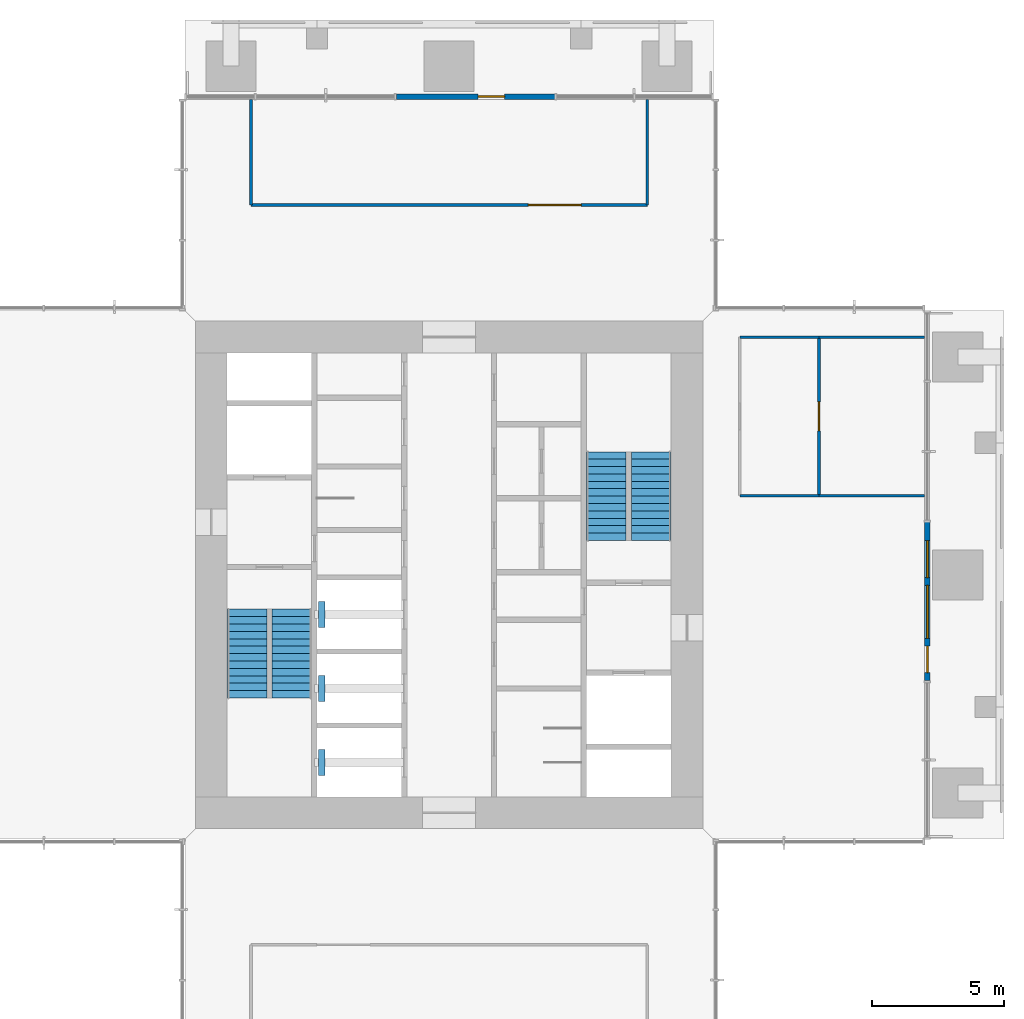
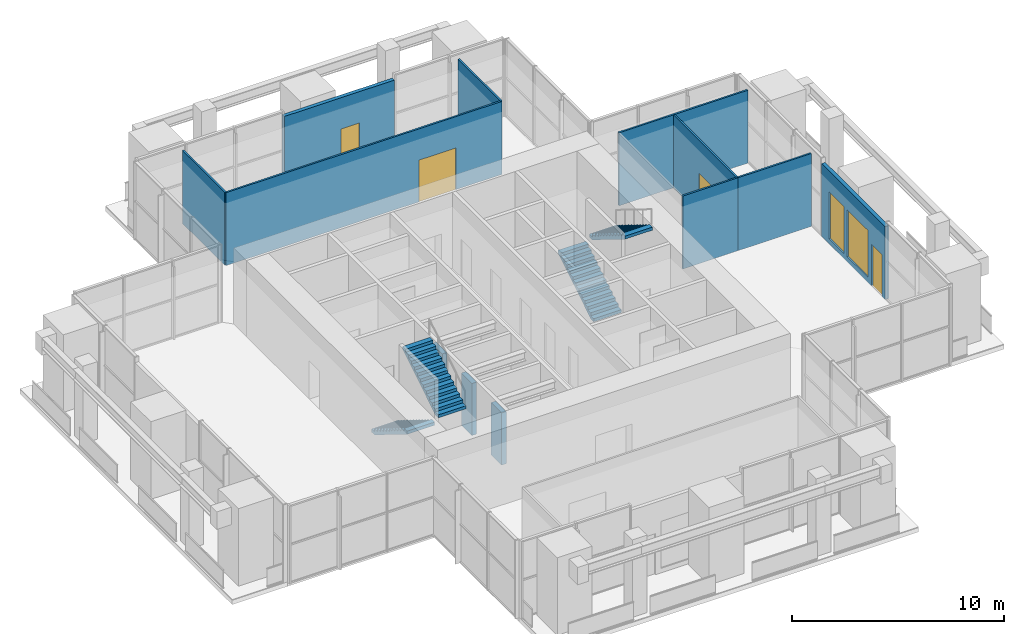
# One storey, part 9 of 11: 10 walls, 4 doors, 4 stair flights, 3 discrete accessories, 2 windows, 6 openings, 2 elements without a shape of their own.
"""IFC4 building model written with IfcOpenShell, lengths in metres."""

from ifc_helpers import new_model, si_unit, direction, frame, frame_2d, origin, origin_2d, place, context, subcontext, project, spatial, polyline, rectangle, outline, extrude, material, layer, layer_set, type_object, element, fill, aggregate, save


model = new_model("IFC4")

# Units and contexts
model_context = context("Model", 3, precision=1e-05, world=origin(), true_north=direction((0.0, 1.0)))
body_context = subcontext(model_context, "Body", "Model", "MODEL_VIEW")
ifc_project = project(units=[si_unit("LENGTHUNIT", "METRE"), si_unit("AREAUNIT", "SQUARE_METRE"), si_unit("VOLUMEUNIT", "CUBIC_METRE"), si_unit("PLANEANGLEUNIT", "RADIAN"), si_unit("MASSUNIT", "GRAM", prefix="KILO")], contexts=[model_context])

# Site, building, storey
site_placement = place(None, origin())
site = spatial("IfcSite", under=ifc_project, at=site_placement, CompositionType="ELEMENT")
building_placement = place(site_placement, origin())
building = spatial("IfcBuilding", under=site, at=building_placement, Name="Svetlomir Tower", CompositionType="ELEMENT")
storey_placement = place(building_placement, frame((0.0, 0.0, 273.39990234375)))
storey = spatial("IfcBuildingStorey", under=building, at=storey_placement, Name="L65", CompositionType="ELEMENT", Elevation=273.39990234375)

# Wall, openings, door, windows
ifc_material_1 = material(Name="Bronze anodised aluminium glazed screen", Category="aluminium")
ifc_layer_1 = layer(ifc_material_1, 0.199951171875)
ifc_layer_set_1 = layer_set([ifc_layer_1], Name="Bronze anodised aluminium glazed screen")
wall_type_1 = type_object("IfcWallType", Name="BALCONY SCREEN WALL 200", PredefinedType="USERDEFINED", material=ifc_layer_set_1)
wall_1_placement = place(storey_placement, frame((39.10009765625, 17.0, 0.0), z_axis=(0.0, 0.0, 1.0), x_axis=(0.0, 1.0, 0.0)))
wall_1 = element("IfcWall", 1, at=wall_1_placement, inside=storey, type_object=wall_type_1, Name="Balcony screen E", ObjectType="GLAZED SCREEN", PredefinedType="USERDEFINED", context=body_context, shape_type="SweptSolid", body=[
    extrude(rectangle(XDim=6.0, YDim=0.199951171875, at=frame_2d((3.0, 0.0))), origin(), (0.0, 0.0, 1.0), 4.2001953125),
])
opening_1_placement = place(wall_1_placement, frame((0.300048828125, 0.0, 0.0)))
opening_1 = element("IfcOpeningElement", 2, at=opening_1_placement, cuts=wall_1, Name="Opening BD", PredefinedType="OPENING", context=body_context, shape_type="SweptSolid", body=[
    extrude(rectangle(XDim=1.0, YDim=2.39990234375, at=frame_2d((0.5, 1.199951171875))), frame((0.0, 0.10986328125, 0.0), z_axis=(0.0, -1.0, 0.0), x_axis=(1.0, 0.0, 0.0)), (0.0, 0.0, 1.0), 0.219970703125),
])
opening_2_placement = place(wall_1_placement, frame((1.60009765625, 0.0, 0.300048828125)))
opening_2 = element("IfcOpeningElement", 3, at=opening_2_placement, cuts=wall_1, Name="Opening WS", PredefinedType="OPENING", context=body_context, shape_type="SweptSolid", body=[
    extrude(rectangle(XDim=2.0, YDim=2.699951171875, at=frame_2d((1.0, 1.35009765625))), frame((0.0, 0.10986328125, 0.0), z_axis=(0.0, -1.0, 0.0), x_axis=(1.0, 0.0, 0.0)), (0.0, 0.0, 1.0), 0.219970703125),
])
opening_3_placement = place(wall_1_placement, frame((3.89990234375, 0.0, 0.300048828125)))
opening_3 = element("IfcOpeningElement", 4, at=opening_3_placement, cuts=wall_1, Name="Opening WS2", PredefinedType="OPENING", context=body_context, shape_type="SweptSolid", body=[
    extrude(rectangle(XDim=1.39990234375, YDim=2.699951171875, at=frame_2d((0.699951171875, 1.35009765625))), frame((0.0, 0.10986328125, 0.0), z_axis=(0.0, -1.0, 0.0), x_axis=(1.0, 0.0, 0.0)), (0.0, 0.0, 1.0), 0.219970703125),
])
ifc_material_2 = material(Name="Bronze anodised aluminium glazed door", Category="aluminium")
door_type_1 = type_object("IfcDoorType", Name="BALCONY DOOR BD 1000x2400", OperationType="SINGLE_SWING_LEFT", PredefinedType="DOOR", material=ifc_material_2)
door_1_placement = place(opening_1_placement, origin())
door_1 = element("IfcDoor", 5, at=door_1_placement, inside=storey, type_object=door_type_1, Name="Balcony screen E door", OperationType="SINGLE_SWING_LEFT", OverallHeight=2.39990234375, OverallWidth=1.0, PredefinedType="DOOR", context=body_context, shape_type="SweptSolid", body=[
    extrude(rectangle(XDim=1.0, YDim=2.39990234375, at=frame_2d((0.5, 1.199951171875))), frame((0.0, 0.02490234375, 0.0), z_axis=(0.0, -1.0, 0.0), x_axis=(1.0, 0.0, 0.0)), (0.0, 0.0, 1.0), 0.050048828125),
])
fill(opening_1, door_1)
ifc_material_3 = material(Name="Bronze anodised aluminium window", Category="aluminium")
window_type_1 = type_object("IfcWindowType", Name="SCREEN WINDOW WS 2000x2700", PartitioningType="SINGLE_PANEL", PredefinedType="WINDOW", material=ifc_material_3)
window_1_placement = place(opening_2_placement, origin())
window_1 = element("IfcWindow", 6, at=window_1_placement, inside=storey, type_object=window_type_1, Name="Balcony screen E window 1", OverallHeight=2.699951171875, OverallWidth=2.0, PartitioningType="SINGLE_PANEL", PredefinedType="WINDOW", context=body_context, shape_type="SweptSolid", body=[
    extrude(rectangle(XDim=2.0, YDim=2.699951171875, at=frame_2d((1.0, 1.35009765625))), frame((0.0, 0.030029296875, 0.0), z_axis=(0.0, -1.0, 0.0), x_axis=(1.0, 0.0, 0.0)), (0.0, 0.0, 1.0), 0.06005859375),
])
fill(opening_2, window_1)
ifc_material_4 = material(Name="Bronze anodised aluminium window", Category="aluminium")
window_type_2 = type_object("IfcWindowType", Name="SCREEN WINDOW WS2 1400x2700", PartitioningType="SINGLE_PANEL", PredefinedType="WINDOW", material=ifc_material_4)
window_2_placement = place(opening_3_placement, origin())
window_2 = element("IfcWindow", 7, at=window_2_placement, inside=storey, type_object=window_type_2, Name="Balcony screen E window 2", OverallHeight=2.699951171875, OverallWidth=1.39990234375, PartitioningType="SINGLE_PANEL", PredefinedType="WINDOW", context=body_context, shape_type="SweptSolid", body=[
    extrude(rectangle(XDim=1.39990234375, YDim=2.699951171875, at=frame_2d((0.699951171875, 1.35009765625))), frame((0.0, 0.030029296875, 0.0), z_axis=(0.0, -1.0, 0.0), x_axis=(1.0, 0.0, 0.0)), (0.0, 0.0, 1.0), 0.06005859375),
])
fill(opening_3, window_2)

# Wall, opening, door
wall_2_placement = place(storey_placement, frame((25.0, 39.10009765625, 0.0), z_axis=(0.0, 0.0, 1.0), x_axis=(-1.0, 0.0, 0.0)))
wall_2 = element("IfcWall", 8, at=wall_2_placement, inside=storey, type_object=wall_type_1, Name="Balcony screen N", ObjectType="GLAZED SCREEN", PredefinedType="USERDEFINED", context=body_context, shape_type="SweptSolid", body=[
    extrude(rectangle(XDim=6.0, YDim=0.199951171875, at=frame_2d((3.0, 0.0))), origin(), (0.0, 0.0, 1.0), 4.2001953125),
])
opening_4_placement = place(wall_2_placement, frame((1.89990234375, 0.0, 0.0)))
opening_4 = element("IfcOpeningElement", 9, at=opening_4_placement, cuts=wall_2, Name="Opening BD", PredefinedType="OPENING", context=body_context, shape_type="SweptSolid", body=[
    extrude(rectangle(XDim=1.0, YDim=2.39990234375, at=frame_2d((0.5, 1.199951171875))), frame((0.0, 0.10986328125, 0.0), z_axis=(0.0, -1.0, 0.0), x_axis=(1.0, 0.0, 0.0)), (0.0, 0.0, 1.0), 0.219970703125),
])
door_2_placement = place(opening_4_placement, origin())
door_2 = element("IfcDoor", 10, at=door_2_placement, inside=storey, type_object=door_type_1, Name="Balcony screen N door", OperationType="SINGLE_SWING_LEFT", OverallHeight=2.39990234375, OverallWidth=1.0, PredefinedType="DOOR", context=body_context, shape_type="SweptSolid", body=[
    extrude(rectangle(XDim=1.0, YDim=2.39990234375, at=frame_2d((0.5, 1.199951171875))), frame((0.0, 0.02490234375, 0.0), z_axis=(0.0, -1.0, 0.0), x_axis=(1.0, 0.0, 0.0)), (0.0, 0.0, 1.0), 0.050048828125),
])
fill(opening_4, door_2)

# Wall
ifc_material_5 = material(Name="Framed laminated glass partition", Category="glass")
ifc_layer_2 = layer(ifc_material_5, 0.10009765625)
ifc_layer_set_2 = layer_set([ifc_layer_2], Name="Framed laminated glass partition")
wall_type_2 = type_object("IfcWallType", Name="GLAZED PARTITION 100", PredefinedType="PARTITIONING", material=ifc_layer_set_2)
wall_3_placement = place(storey_placement, frame((13.5, 35.0, 0.0), z_axis=(0.0, 0.0, 1.0), x_axis=(0.0, 1.0, 0.0)))
element("IfcWall", 11, at=wall_3_placement, inside=storey, type_object=wall_type_2, Name="Partition L65", PredefinedType="PARTITIONING", context=body_context, shape_type="SweptSolid", body=[
    extrude(rectangle(XDim=4.0, YDim=0.10009765625, at=frame_2d((2.0, 0.0))), origin(), (0.0, 0.0, 1.0), 4.2001953125),
])

# Wall, opening, door
wall_4_placement = place(storey_placement, frame((13.5, 35.0, 0.0), z_axis=(0.0, 0.0, 1.0), x_axis=(1.0, 0.0, 0.0)))
wall_4 = element("IfcWall", 12, at=wall_4_placement, inside=storey, type_object=wall_type_2, Name="Partition L65", PredefinedType="PARTITIONING", context=body_context, shape_type="SweptSolid", body=[
    extrude(rectangle(XDim=15.0, YDim=0.10009765625, at=frame_2d((7.5, 0.0))), origin(), (0.0, 0.0, 1.0), 4.2001953125),
])
opening_5_placement = place(wall_4_placement, frame((10.5, 0.0, 0.0)))
opening_5 = element("IfcOpeningElement", 13, at=opening_5_placement, cuts=wall_4, Name="Opening DX", PredefinedType="OPENING", context=body_context, shape_type="SweptSolid", body=[
    extrude(rectangle(XDim=2.0, YDim=2.39990234375, at=frame_2d((1.0, 1.199951171875))), frame((0.0, 0.06005859375, 0.0), z_axis=(0.0, -1.0, 0.0), x_axis=(1.0, 0.0, 0.0)), (0.0, 0.0, 1.0), 0.1201171875),
])
ifc_material_6 = material(Name="Walnut veneered timber door", Category="wood")
door_type_2 = type_object("IfcDoorType", Name="DOUBLE DOOR DX 2000x2400", OperationType="DOUBLE_DOOR_SINGLE_SWING", PredefinedType="DOOR", material=ifc_material_6)
door_3_placement = place(opening_5_placement, origin())
door_3 = element("IfcDoor", 14, at=door_3_placement, inside=storey, type_object=door_type_2, Name="Executive dining room door L65", OperationType="DOUBLE_DOOR_SINGLE_SWING", OverallHeight=2.39990234375, OverallWidth=2.0, PredefinedType="DOOR", context=body_context, shape_type="SweptSolid", body=[
    extrude(rectangle(XDim=2.0, YDim=2.39990234375, at=frame_2d((1.0, 1.199951171875))), frame((0.0, 0.02490234375, 0.0), z_axis=(0.0, -1.0, 0.0), x_axis=(1.0, 0.0, 0.0)), (0.0, 0.0, 1.0), 0.050048828125),
])
fill(opening_5, door_3)

# Walls
wall_5_placement = place(storey_placement, frame((28.5, 35.0, 0.0), z_axis=(0.0, 0.0, 1.0), x_axis=(0.0, 1.0, 0.0)))
element("IfcWall", 15, at=wall_5_placement, inside=storey, type_object=wall_type_2, Name="Partition L65", PredefinedType="PARTITIONING", context=body_context, shape_type="SweptSolid", body=[
    extrude(rectangle(XDim=4.0, YDim=0.10009765625, at=frame_2d((2.0, 0.0))), origin(), (0.0, 0.0, 1.0), 4.2001953125),
])
for number, where, z_axis, x_axis, name in (
    (16, (32.0, 24.0, 0.0), (0.0, 0.0, 1.0), (1.0, 0.0, 0.0), "Partition L65"),
    (17, (32.0, 30.0, 0.0), (0.0, 0.0, 1.0), (1.0, 0.0, 0.0), "Partition L65"),
):
    element("IfcWall", number, at=place(storey_placement, frame(where, z_axis=z_axis, x_axis=x_axis)), inside=storey, type_object=wall_type_2, Name=name, PredefinedType="PARTITIONING", context=body_context, shape_type="SweptSolid", body=[
        extrude(rectangle(XDim=3.0, YDim=0.10009765625, at=frame_2d((1.5, 0.0))), origin(), (0.0, 0.0, 1.0), 4.2001953125),
    ])

# Wall, opening, door
wall_6_placement = place(storey_placement, frame((35.0, 24.0, 0.0), z_axis=(0.0, 0.0, 1.0), x_axis=(0.0, 1.0, 0.0)))
wall_6 = element("IfcWall", 18, at=wall_6_placement, inside=storey, type_object=wall_type_2, Name="Partition L65", PredefinedType="PARTITIONING", context=body_context, shape_type="SweptSolid", body=[
    extrude(rectangle(XDim=6.0, YDim=0.10009765625, at=frame_2d((3.0, 0.0))), origin(), (0.0, 0.0, 1.0), 4.2001953125),
])
opening_6_placement = place(wall_6_placement, frame((2.449951171875, 0.0, 0.0)))
opening_6 = element("IfcOpeningElement", 19, at=opening_6_placement, cuts=wall_6, Name="Opening DE", PredefinedType="OPENING", context=body_context, shape_type="SweptSolid", body=[
    extrude(rectangle(XDim=1.10009765625, YDim=2.300048828125, at=frame_2d((0.550048828125, 1.14990234375))), frame((0.0, 0.06005859375, 0.0), z_axis=(0.0, -1.0, 0.0), x_axis=(1.0, 0.0, 0.0)), (0.0, 0.0, 1.0), 0.1201171875),
])
ifc_material_7 = material(Name="Walnut veneered timber door", Category="wood")
door_type_3 = type_object("IfcDoorType", Name="DOOR DE 1100x2300", OperationType="SINGLE_SWING_LEFT", PredefinedType="DOOR", material=ifc_material_7)
door_4_placement = place(opening_6_placement, origin())
door_4 = element("IfcDoor", 20, at=door_4_placement, inside=storey, type_object=door_type_3, Name="Executive kitchen door L65", OperationType="SINGLE_SWING_LEFT", OverallHeight=2.300048828125, OverallWidth=1.10009765625, PredefinedType="DOOR", context=body_context, shape_type="SweptSolid", body=[
    extrude(rectangle(XDim=1.10009765625, YDim=2.300048828125, at=frame_2d((0.550048828125, 1.14990234375))), frame((0.0, 0.02490234375, 0.0), z_axis=(0.0, -1.0, 0.0), x_axis=(1.0, 0.0, 0.0)), (0.0, 0.0, 1.0), 0.050048828125),
])
fill(opening_6, door_4)

# Walls
for number, where, z_axis, x_axis, name in (
    (21, (35.0, 24.0, 0.0), (0.0, 0.0, 1.0), (1.0, 0.0, 0.0), "Partition L65"),
    (22, (35.0, 30.0, 0.0), (0.0, 0.0, 1.0), (1.0, 0.0, 0.0), "Partition L65"),
):
    element("IfcWall", number, at=place(storey_placement, frame(where, z_axis=z_axis, x_axis=x_axis)), inside=storey, type_object=wall_type_2, Name=name, PredefinedType="PARTITIONING", context=body_context, shape_type="SweptSolid", body=[
        extrude(rectangle(XDim=4.0, YDim=0.10009765625, at=frame_2d((2.0, 0.0))), origin(), (0.0, 0.0, 1.0), 4.2001953125),
    ])

# Stair, stair flights
ifc_material_8 = material(Name="Concrete C60/75", Category="concrete")
stair_type = type_object("IfcStairType", Name="EXIT STAIR 3200 RISE 4500", PredefinedType="HALF_TURN_STAIR", material=ifc_material_8)
stair_1_placement = place(storey_placement, origin())
stair_1 = element("IfcStair", 23, at=stair_1_placement, inside=storey, type_object=stair_type, Name="Stair S1 L65 to L66", PredefinedType="HALF_TURN_STAIR")
ifc_material_9 = material(Name="Concrete C60/75", Category="concrete")
stair_flight_type = type_object("IfcStairFlightType", Name="STAIR FLIGHT 1500 OF 13 RISERS", PredefinedType="STRAIGHT", material=ifc_material_9)
stair_flight_1_placement = place(storey_placement, frame((13.35009765625, 19.699951171875, 0.0), z_axis=(0.0, 0.0, 1.0), x_axis=(0.0, -1.0, 0.0)))
stair_flight_1 = element("IfcStairFlight", 24, at=stair_flight_1_placement, type_object=stair_flight_type, Name="S1 flight 1", NumberOfRisers=13, NumberOfTreads=12, PredefinedType="STRAIGHT", RiserHeight=0.173076923, TreadLength=0.28, context=body_context, shape_type="SweptSolid", body=[
    extrude(outline(polyline([(0.0, 0.0), (0.0, 0.173095703125), (0.280029296875, 0.173095703125), (0.280029296875, 0.34619140625), (0.56005859375, 0.34619140625), (0.56005859375, 0.519287109375), (0.840087890625, 0.519287109375), (0.840087890625, 0.6923828125), (1.1201171875, 0.6923828125), (1.1201171875, 0.865478515625), (1.39990234375, 0.865478515625), (1.39990234375, 1.03857421875), (1.679931640625, 1.03857421875), (1.679931640625, 1.21142578125), (1.9599609375, 1.21142578125), (1.9599609375, 1.384521484375), (2.239990234375, 1.384521484375), (2.239990234375, 1.5576171875), (2.52001953125, 1.5576171875), (2.52001953125, 1.730712890625), (2.800048828125, 1.730712890625), (2.800048828125, 1.90380859375), (3.080078125, 1.90380859375), (3.080078125, 2.076904296875), (3.360107421875, 2.076904296875), (3.360107421875, 2.25), (3.360107421875, 1.900634765625), (0.28515625, 0.0), (0.0, 0.0)])), frame((0.0, 0.75, 0.0), z_axis=(0.0, -1.0, 0.0), x_axis=(1.0, 0.0, 0.0)), (0.0, 0.0, 1.0), 1.5),
])
stair_flight_2_placement = place(storey_placement, frame((15.050048828125, 16.340087890625, 2.25), z_axis=(0.0, 0.0, 1.0), x_axis=(0.0, 1.0, 0.0)))
stair_flight_2 = element("IfcStairFlight", 25, at=stair_flight_2_placement, type_object=stair_flight_type, Name="S1 flight 2", NumberOfRisers=13, NumberOfTreads=12, PredefinedType="STRAIGHT", RiserHeight=0.173076923, TreadLength=0.28, context=body_context, shape_type="SweptSolid", body=[
    extrude(outline(polyline([(0.0, 0.0), (0.0, 0.173095703125), (0.280029296875, 0.173095703125), (0.280029296875, 0.34619140625), (0.56005859375, 0.34619140625), (0.56005859375, 0.519287109375), (0.840087890625, 0.519287109375), (0.840087890625, 0.6923828125), (1.1201171875, 0.6923828125), (1.1201171875, 0.865478515625), (1.39990234375, 0.865478515625), (1.39990234375, 1.03857421875), (1.679931640625, 1.03857421875), (1.679931640625, 1.21142578125), (1.9599609375, 1.21142578125), (1.9599609375, 1.384521484375), (2.239990234375, 1.384521484375), (2.239990234375, 1.5576171875), (2.52001953125, 1.5576171875), (2.52001953125, 1.730712890625), (2.800048828125, 1.730712890625), (2.800048828125, 1.90380859375), (3.080078125, 1.90380859375), (3.080078125, 2.076904296875), (3.360107421875, 2.076904296875), (3.360107421875, 2.25), (3.360107421875, 1.900634765625), (0.28515625, 0.0), (0.0, 0.0)])), frame((0.0, 0.75, 0.0), z_axis=(0.0, -1.0, 0.0), x_axis=(1.0, 0.0, 0.0)), (0.0, 0.0, 1.0), 1.5),
])
aggregate(stair_1, [stair_flight_1, stair_flight_2])

stair_2_placement = place(storey_placement, origin())
stair_2 = element("IfcStair", 26, at=stair_2_placement, inside=storey, type_object=stair_type, Name="Stair S2 L65 to L66", PredefinedType="HALF_TURN_STAIR")
stair_flight_3_placement = place(storey_placement, frame((26.949951171875, 22.300048828125, 0.0), z_axis=(0.0, 0.0, 1.0), x_axis=(0.0, 1.0, 0.0)))
stair_flight_3 = element("IfcStairFlight", 27, at=stair_flight_3_placement, type_object=stair_flight_type, Name="S2 flight 1", NumberOfRisers=13, NumberOfTreads=12, PredefinedType="STRAIGHT", RiserHeight=0.173076923, TreadLength=0.28, context=body_context, shape_type="SweptSolid", body=[
    extrude(outline(polyline([(0.0, 0.0), (0.0, 0.173095703125), (0.280029296875, 0.173095703125), (0.280029296875, 0.34619140625), (0.56005859375, 0.34619140625), (0.56005859375, 0.519287109375), (0.840087890625, 0.519287109375), (0.840087890625, 0.6923828125), (1.1201171875, 0.6923828125), (1.1201171875, 0.865478515625), (1.39990234375, 0.865478515625), (1.39990234375, 1.03857421875), (1.679931640625, 1.03857421875), (1.679931640625, 1.21142578125), (1.9599609375, 1.21142578125), (1.9599609375, 1.384521484375), (2.239990234375, 1.384521484375), (2.239990234375, 1.5576171875), (2.52001953125, 1.5576171875), (2.52001953125, 1.730712890625), (2.800048828125, 1.730712890625), (2.800048828125, 1.90380859375), (3.080078125, 1.90380859375), (3.080078125, 2.076904296875), (3.360107421875, 2.076904296875), (3.360107421875, 2.25), (3.360107421875, 1.900634765625), (0.28515625, 0.0), (0.0, 0.0)])), frame((0.0, 0.75, 0.0), z_axis=(0.0, -1.0, 0.0), x_axis=(1.0, 0.0, 0.0)), (0.0, 0.0, 1.0), 1.5),
])
stair_flight_4_placement = place(storey_placement, frame((28.64990234375, 25.659912109375, 2.25), z_axis=(0.0, 0.0, 1.0), x_axis=(0.0, -1.0, 0.0)))
stair_flight_4 = element("IfcStairFlight", 28, at=stair_flight_4_placement, type_object=stair_flight_type, Name="S2 flight 2", NumberOfRisers=13, NumberOfTreads=12, PredefinedType="STRAIGHT", RiserHeight=0.173076923, TreadLength=0.28, context=body_context, shape_type="SweptSolid", body=[
    extrude(outline(polyline([(0.0, 0.0), (0.0, 0.173095703125), (0.280029296875, 0.173095703125), (0.280029296875, 0.34619140625), (0.56005859375, 0.34619140625), (0.56005859375, 0.519287109375), (0.840087890625, 0.519287109375), (0.840087890625, 0.6923828125), (1.1201171875, 0.6923828125), (1.1201171875, 0.865478515625), (1.39990234375, 0.865478515625), (1.39990234375, 1.03857421875), (1.679931640625, 1.03857421875), (1.679931640625, 1.21142578125), (1.9599609375, 1.21142578125), (1.9599609375, 1.384521484375), (2.239990234375, 1.384521484375), (2.239990234375, 1.5576171875), (2.52001953125, 1.5576171875), (2.52001953125, 1.730712890625), (2.800048828125, 1.730712890625), (2.800048828125, 1.90380859375), (3.080078125, 1.90380859375), (3.080078125, 2.076904296875), (3.360107421875, 2.076904296875), (3.360107421875, 2.25), (3.360107421875, 1.900634765625), (0.28515625, 0.0), (0.0, 0.0)])), frame((0.0, 0.75, 0.0), z_axis=(0.0, -1.0, 0.0), x_axis=(1.0, 0.0, 0.0)), (0.0, 0.0, 1.0), 1.5),
])
aggregate(stair_2, [stair_flight_3, stair_flight_4])

# Discrete accessories
for number, where, z_axis, x_axis, name in (
    (29, (16.175048828125, 13.89990234375, 0.7001953125), (0.0, 0.0, 1.0), (1.0, 0.0, 0.0), "Lift LD1 counterweight"),
    (30, (16.175048828125, 16.699951171875, 0.7001953125), (0.0, 0.0, 1.0), (1.0, 0.0, 0.0), "Lift LD2 counterweight"),
    (31, (16.175048828125, 19.5, 0.7001953125), (0.0, 0.0, 1.0), (1.0, 0.0, 0.0), "Lift LD3 counterweight"),
):
    element("IfcDiscreteAccessory", number, at=place(storey_placement, frame(where, z_axis=z_axis, x_axis=x_axis)), inside=storey, Name=name, ObjectType="LIFT COUNTERWEIGHT", PredefinedType="USERDEFINED", context=body_context, shape_type="SweptSolid", body=[
        extrude(rectangle(XDim=0.25, YDim=1.0, at=origin_2d()), origin(), (0.0, 0.0, 1.0), 3.0),
    ])

save(model, "model.ifc")
